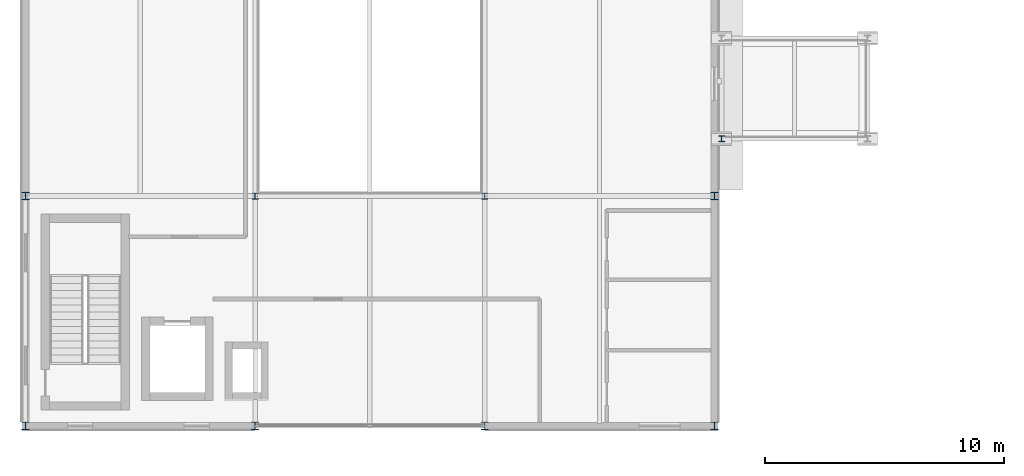
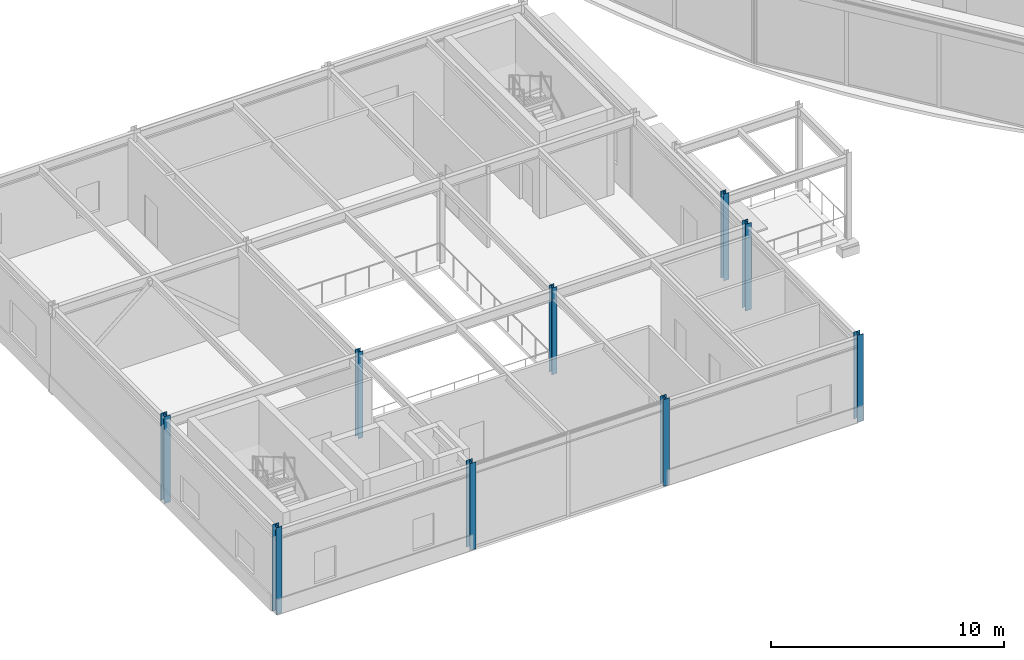
# One storey, part 1 of 157: 9 columns.
"""IFC4 building model written with IfcOpenShell, lengths in metres."""

from ifc_helpers import new_model, si_unit, direction, frame, origin, origin_2d, place, context, subcontext, project, spatial, i_section, extrude, material, material_profile, profile_set, type_object, element, save


model = new_model("IFC4")

# Units and contexts
model_context = context("Model", 3, precision=1e-05, world=origin(), true_north=direction((0.0, 1.0)))
body_context = subcontext(model_context, "Body", "Model", "MODEL_VIEW")
ifc_project = project(units=[si_unit("LENGTHUNIT", "METRE"), si_unit("AREAUNIT", "SQUARE_METRE"), si_unit("VOLUMEUNIT", "CUBIC_METRE"), si_unit("PLANEANGLEUNIT", "RADIAN"), si_unit("MASSUNIT", "GRAM", prefix="KILO")], contexts=[model_context])

# Site, building, storey
site_placement = place(None, origin())
site = spatial("IfcSite", under=ifc_project, at=site_placement, CompositionType="ELEMENT")
building_placement = place(site_placement, origin())
building = spatial("IfcBuilding", under=site, at=building_placement, Name="Almandine Court Research Institute", CompositionType="ELEMENT")
storey_placement = place(building_placement, frame((0.0, 0.0, 5.25)))
storey = spatial("IfcBuildingStorey", under=building, at=storey_placement, Name="L01", CompositionType="ELEMENT", Elevation=5.25)

# Columns
ifc_material = material(Name="Steel ASTM A992 Grade 50", Category="steel")
ifc_material_profile_1 = material_profile(ifc_material, i_section(OverallWidth=0.305908203125, OverallDepth=0.31103515625, WebThickness=0.010986328125, FlangeThickness=0.01708984375, at=origin_2d()), Name="W310x107")
ifc_profile_set_1 = profile_set([ifc_material_profile_1], Name="Steel ASTM A992 Grade 50")
column_type_1 = type_object("IfcColumnType", Name="Col-C-W08-E", PredefinedType="COLUMN", material=ifc_profile_set_1)
for number, where, z_axis, x_axis, name in (
    (1, (6.0, 6.0, 0.0), (0.0, 0.0, 1.0), (1.0, 0.0, 0.0), "L01 V1 Column V1-X1Y1"),
    (2, (6.0, 15.60009765625, 0.0), (0.0, 0.0, 1.0), (1.0, 0.0, 0.0), "L01 V1 Column V1-X1Y2"),
    (3, (15.60009765625, 6.0, 0.0), (0.0, 0.0, 1.0), (1.0, 0.0, 0.0), "L01 V1 Column V1-X2Y1"),
    (4, (25.199951171875, 6.0, 0.0), (0.0, 0.0, 1.0), (1.0, 0.0, 0.0), "L01 V1 Column V1-X3Y1"),
    (5, (34.800048828125, 6.0, 0.0), (0.0, 0.0, 1.0), (1.0, 0.0, 0.0), "L01 V1 Column V1-X4Y1"),
    (6, (34.800048828125, 15.60009765625, 0.0), (0.0, 0.0, 1.0), (1.0, 0.0, 0.0), "L01 V1 Column V1-X4Y2"),
):
    element("IfcColumn", number, at=place(storey_placement, frame(where, z_axis=z_axis, x_axis=x_axis)), inside=storey, type_object=column_type_1, Name=name, PredefinedType="COLUMN", context=body_context, shape_type="SweptSolid", body=[
        extrude(i_section(OverallWidth=0.305908203125, OverallDepth=0.31103515625, WebThickness=0.010986328125, FlangeThickness=0.01708984375, at=origin_2d()), origin(), (0.0, 0.0, 1.0), 4.550048828125),
    ])
ifc_material_profile_2 = material_profile(ifc_material, i_section(OverallWidth=0.25390625, OverallDepth=0.2529296875, WebThickness=0.009033203125, FlangeThickness=0.013916015625, at=origin_2d()), Name="W250x73")
ifc_profile_set_2 = profile_set([ifc_material_profile_2], Name="Steel ASTM A992 Grade 50")
column_type_2 = type_object("IfcColumnType", Name="Col-C-W10", PredefinedType="COLUMN", material=ifc_profile_set_2)
for number, where, z_axis, x_axis, name in (
    (7, (15.60009765625, 15.60009765625, 0.0), (0.0, 0.0, 1.0), (1.0, 0.0, 0.0), "L01 V1 Column V1-X2Y2"),
    (8, (25.199951171875, 15.60009765625, 0.0), (0.0, 0.0, 1.0), (1.0, 0.0, 0.0), "L01 V1 Column V1-X3Y2"),
):
    element("IfcColumn", number, at=place(storey_placement, frame(where, z_axis=z_axis, x_axis=x_axis)), inside=storey, type_object=column_type_2, Name=name, PredefinedType="COLUMN", context=body_context, shape_type="SweptSolid", body=[
        extrude(i_section(OverallWidth=0.25390625, OverallDepth=0.2529296875, WebThickness=0.009033203125, FlangeThickness=0.013916015625, at=origin_2d()), origin(), (0.0, 0.0, 1.0), 4.550048828125),
    ])
ifc_material_profile_3 = material_profile(ifc_material, i_section(OverallWidth=0.25390625, OverallDepth=0.2529296875, WebThickness=0.009033203125, FlangeThickness=0.013916015625, at=origin_2d()), Name="W250x73")
ifc_profile_set_3 = profile_set([ifc_material_profile_3], Name="Steel ASTM A992 Grade 50")
column_type_3 = type_object("IfcColumnType", Name="Col-C-W10-E", PredefinedType="COLUMN", material=ifc_profile_set_3)
column_placement = place(storey_placement, frame((35.10009765625, 18.0, 0.0), z_axis=(0.0, 0.0, 1.0), x_axis=(1.0, 0.0, 0.0)))
element("IfcColumn", 9, at=column_placement, inside=storey, type_object=column_type_3, Name="L01 DAL-SW Column DAL-SW-X1Y1", PredefinedType="COLUMN", context=body_context, shape_type="SweptSolid", body=[
    extrude(i_section(OverallWidth=0.25390625, OverallDepth=0.2529296875, WebThickness=0.009033203125, FlangeThickness=0.013916015625, at=origin_2d()), origin(), (0.0, 0.0, 1.0), 4.550048828125),
])

save(model, "model.ifc")
